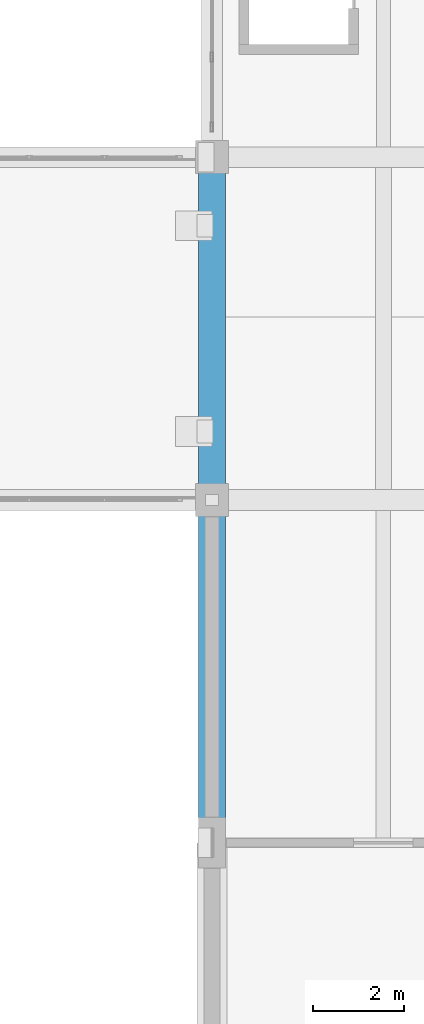
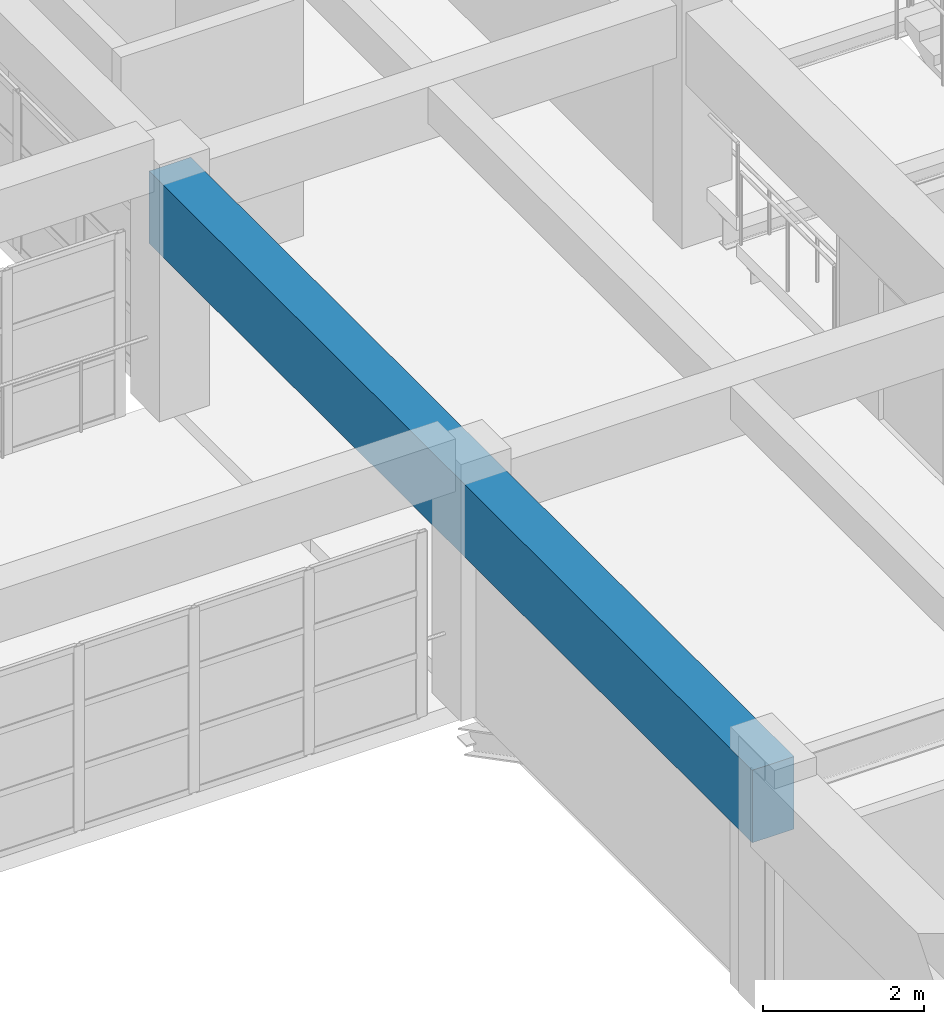
# One storey, part 17 of 101: 1 beam.
"""IFC4 building model written with IfcOpenShell, lengths in metres."""

from ifc_helpers import new_model, si_unit, direction, frame, origin, origin_2d, place, context, subcontext, project, spatial, rectangle, extrude, material, material_profile, profile_set, type_object, element, save


model = new_model("IFC4")

# Units and contexts
model_context = context("Model", 3, precision=1e-05, world=origin(), true_north=direction((0.0, 1.0)))
body_context = subcontext(model_context, "Body", "Model", "MODEL_VIEW")
ifc_project = project(units=[si_unit("LENGTHUNIT", "METRE"), si_unit("AREAUNIT", "SQUARE_METRE"), si_unit("VOLUMEUNIT", "CUBIC_METRE"), si_unit("PLANEANGLEUNIT", "RADIAN"), si_unit("MASSUNIT", "GRAM", prefix="KILO")], contexts=[model_context])

# Site, building, storey
site_placement = place(None, origin())
site = spatial("IfcSite", under=ifc_project, at=site_placement, CompositionType="ELEMENT")
building_placement = place(site_placement, origin())
building = spatial("IfcBuilding", under=site, at=building_placement, Name="Qasida Concert Hall", CompositionType="ELEMENT")
storey_placement = place(building_placement, frame((0.0, 0.0, 13.199951171875)))
storey = spatial("IfcBuildingStorey", under=building, at=storey_placement, Name="L03", CompositionType="ELEMENT", Elevation=13.199951171875)

# Beam
ifc_material = material(Name="Concrete C50/60", Category="concrete")
ifc_material_profile = material_profile(ifc_material, rectangle(XDim=0.60009765625, YDim=1.10009765625, at=origin_2d()), Name="RC 600x1100")
ifc_profile_set = profile_set([ifc_material_profile], Name="Concrete C50/60")
beam_type = type_object("IfcBeamType", Name="BM-G4", PredefinedType="USERDEFINED", material=ifc_profile_set)
beam_placement = place(storey_placement, frame((52.5, 22.5, 3.02001953125), z_axis=(0.0, 1.0, 0.0), x_axis=(-1.0, 0.0, 0.0)))
element("IfcBeam", 1, at=beam_placement, inside=storey, type_object=beam_type, Name="Cantilever backspan girder CGB-015", ObjectType="GIRDER", PredefinedType="USERDEFINED", context=body_context, shape_type="SweptSolid", body=[
    extrude(rectangle(XDim=0.60009765625, YDim=1.10009765625, at=origin_2d()), origin(), (0.0, 0.0, 1.0), 15.0),
])

save(model, "model.ifc")
